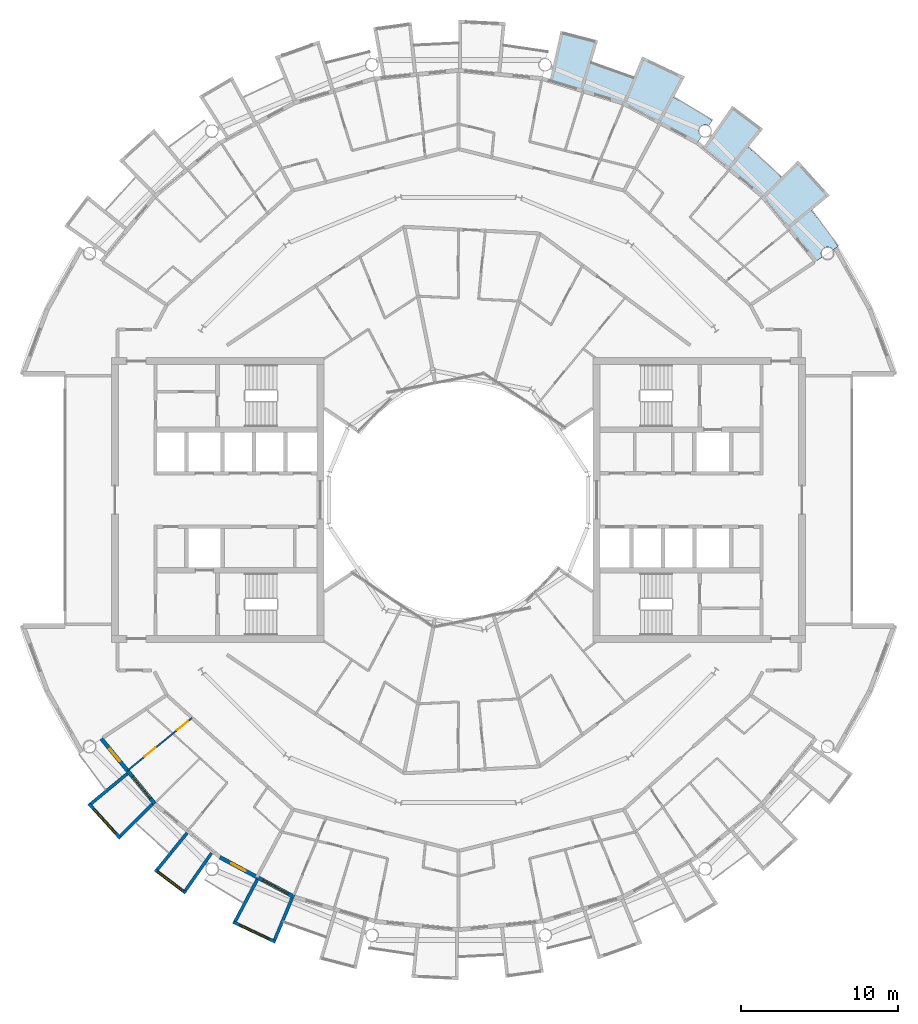
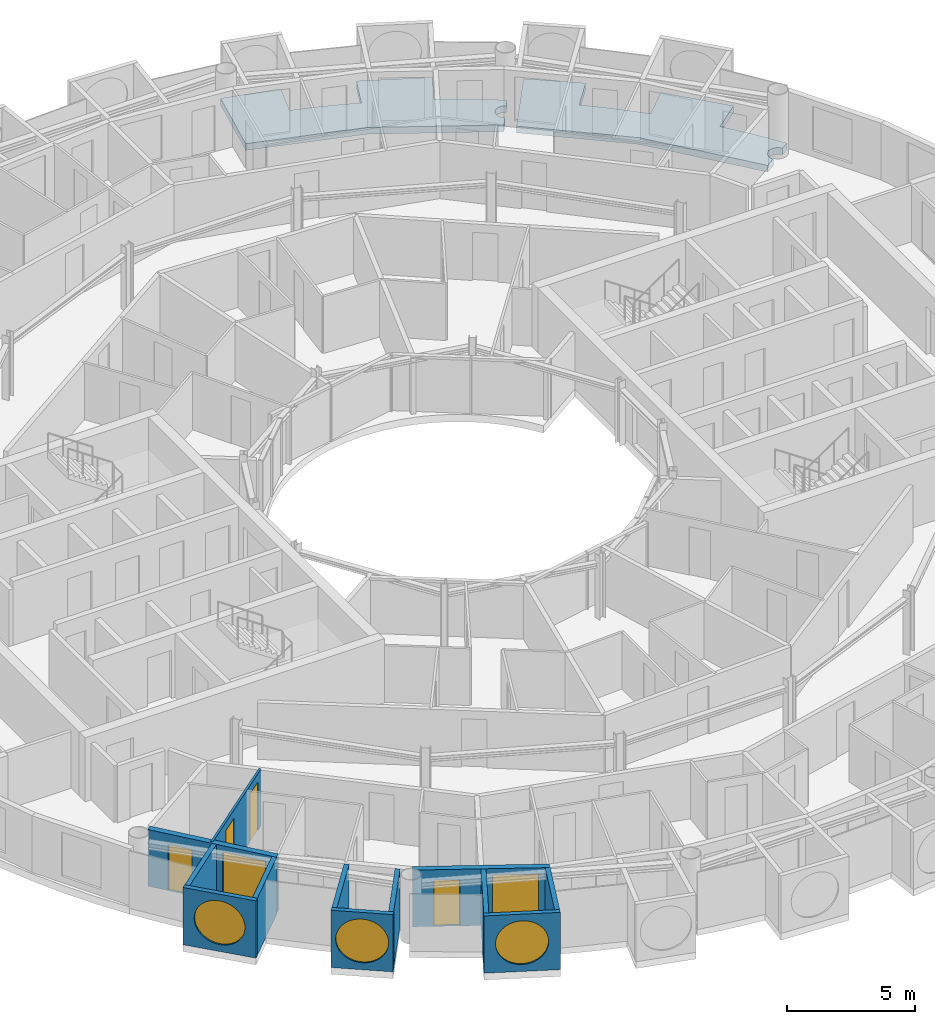
# One storey, part 14 of 29: 12 walls, 5 windows, 4 doors, 2 slabs, 9 openings.
"""IFC4 building model written with IfcOpenShell, lengths in metres."""

from ifc_helpers import new_model, si_unit, direction, frame, frame_2d, origin, place, context, subcontext, project, spatial, polyline, rectangle, circle, outline, extrude, material, layer, layer_set, type_object, element, fill, save


model = new_model("IFC4")

# Units and contexts
model_context = context("Model", 3, precision=1e-05, world=origin(), true_north=direction((0.0, 1.0)))
body_context = subcontext(model_context, "Body", "Model", "MODEL_VIEW")
ifc_project = project(units=[si_unit("LENGTHUNIT", "METRE"), si_unit("AREAUNIT", "SQUARE_METRE"), si_unit("VOLUMEUNIT", "CUBIC_METRE"), si_unit("PLANEANGLEUNIT", "RADIAN"), si_unit("MASSUNIT", "GRAM", prefix="KILO")], contexts=[model_context])

# Site, building, storey
site_placement = place(None, origin())
site = spatial("IfcSite", under=ifc_project, at=site_placement, CompositionType="ELEMENT")
building_placement = place(site_placement, origin())
building = spatial("IfcBuilding", under=site, at=building_placement, Name="Maasbend Ring Residences", CompositionType="ELEMENT")
storey_placement = place(building_placement, frame((0.0, 0.0, 193.25)))
storey = spatial("IfcBuildingStorey", under=building, at=storey_placement, Name="L55", CompositionType="ELEMENT", Elevation=193.25)

# Slabs
ifc_material_1 = material(Name="Concrete C40/50", Category="concrete")
ifc_layer_1 = layer(ifc_material_1, 0.199951171875)
ifc_layer_set_1 = layer_set([ifc_layer_1], Name="Concrete C40/50")
slab_type = type_object("IfcSlabType", Name="SL-LOGGIA", PredefinedType="FLOOR", material=ifc_layer_set_1)
slab_1_placement = place(storey_placement, frame((0.0, 0.0, -0.35009765625)))
element("IfcSlab", 1, at=slab_1_placement, inside=storey, type_object=slab_type, Name="Loggia floor 1", PredefinedType="FLOOR", context=body_context, shape_type="SweptSolid", body=[
    extrude(outline(polyline([(8.85400390625, 29.18701171875), (8.85400390625, 29.18701171875), (8.85400390625, 29.18701171875), (8.41796875, 27.751953125), (8.41796875, 27.751953125), (8.41796875, 27.751953125), (8.41796875, 27.751953125), (8.41796875, 27.751953125), (8.41796875, 27.751953125), (8.41796875, 27.7509765625), (8.41796875, 27.7509765625), (8.41796875, 27.7509765625), (8.41796875, 27.7509765625), (8.41796875, 27.7509765625), (8.4189453125, 27.7509765625), (8.4189453125, 27.7509765625), (8.4189453125, 27.7509765625), (8.4189453125, 27.7509765625), (8.4189453125, 27.7509765625), (8.4189453125, 27.7509765625), (9.322021484375, 27.4609375), (9.322021484375, 27.4609375), (10.215087890625, 27.14111328125), (10.215087890625, 27.14111328125), (11.096923828125, 26.79296875), (11.096923828125, 26.79296875), (11.096923828125, 26.79296875), (11.097900390625, 26.79296875), (11.097900390625, 26.79296875), (11.097900390625, 26.79296875), (11.097900390625, 26.79296875), (11.097900390625, 26.79296875), (11.097900390625, 26.79296875), (11.097900390625, 26.79296875), (11.097900390625, 26.79296875), (11.097900390625, 26.79296875), (11.097900390625, 26.79296875), (11.097900390625, 26.79296875), (11.097900390625, 26.79296875), (11.097900390625, 26.79296875), (11.097900390625, 26.79296875), (11.672119140625, 28.177978515625), (11.672119140625, 28.177978515625), (11.672119140625, 28.177978515625), (14.3779296875, 26.89892578125), (14.3779296875, 26.89892578125), (14.3779296875, 26.89892578125), (13.6708984375, 25.575927734375), (13.6708984375, 25.575927734375), (13.6708984375, 25.575927734375), (13.6708984375, 25.575927734375), (13.6708984375, 25.575927734375), (13.6708984375, 25.575927734375), (13.6708984375, 25.575927734375), (13.6708984375, 25.575927734375), (13.6708984375, 25.575927734375), (13.6708984375, 25.575927734375), (13.6708984375, 25.575927734375), (13.6708984375, 25.575927734375), (13.6708984375, 25.575927734375), (13.6708984375, 25.575927734375), (13.6708984375, 25.575927734375), (13.6708984375, 25.575927734375), (13.6708984375, 25.574951171875), (14.5, 25.114990234375), (14.5, 25.114990234375), (15.31396484375, 24.626953125), (15.31396484375, 24.626953125), (16.112060546875, 24.113037109375), (16.112060546875, 24.113037109375), (16.112060546875, 24.113037109375), (15.89306640625, 23.784912109375), (15.885009765625, 23.791015625), (15.8759765625, 23.7958984375), (15.866943359375, 23.801025390625), (15.85888671875, 23.805908203125), (15.85009765625, 23.81005859375), (15.841064453125, 23.81494140625), (15.83203125, 23.819091796875), (15.822998046875, 23.822998046875), (15.81298828125, 23.826904296875), (15.803955078125, 23.830078125), (15.794921875, 23.8330078125), (15.784912109375, 23.8359375), (15.77587890625, 23.839111328125), (15.76611328125, 23.842041015625), (15.756103515625, 23.843994140625), (15.74609375, 23.845947265625), (15.737060546875, 23.847900390625), (15.72705078125, 23.85009765625), (15.717041015625, 23.85107421875), (15.70703125, 23.85205078125), (15.697021484375, 23.85302734375), (15.68701171875, 23.85302734375), (15.677001953125, 23.85400390625), (15.6669921875, 23.85400390625), (15.656982421875, 23.85400390625), (15.64697265625, 23.85302734375), (15.636962890625, 23.85302734375), (15.626953125, 23.85205078125), (15.616943359375, 23.85107421875), (15.60693359375, 23.85009765625), (15.597900390625, 23.847900390625), (15.587890625, 23.845947265625), (15.577880859375, 23.843994140625), (15.568115234375, 23.842041015625), (15.55908203125, 23.839111328125), (15.549072265625, 23.8359375), (15.5400390625, 23.8330078125), (15.530029296875, 23.830078125), (15.52099609375, 23.826904296875), (15.511962890625, 23.822998046875), (15.501953125, 23.819091796875), (15.492919921875, 23.81494140625), (15.48388671875, 23.81005859375), (15.47509765625, 23.805908203125), (15.467041015625, 23.801025390625), (15.4580078125, 23.7958984375), (15.449951171875, 23.791015625), (15.44091796875, 23.784912109375), (15.43310546875, 23.780029296875), (15.425048828125, 23.77392578125), (15.4169921875, 23.76806640625), (15.408935546875, 23.761962890625), (15.402099609375, 23.7548828125), (15.39404296875, 23.7490234375), (15.386962890625, 23.741943359375), (15.3798828125, 23.735107421875), (15.373046875, 23.72802734375), (15.365966796875, 23.719970703125), (15.35888671875, 23.712890625), (15.35302734375, 23.705078125), (15.346923828125, 23.697021484375), (15.341064453125, 23.68994140625), (15.3349609375, 23.680908203125), (15.3291015625, 23.673095703125), (15.323974609375, 23.6650390625), (15.318115234375, 23.656005859375), (15.31298828125, 23.64794921875), (15.30908203125, 23.638916015625), (15.303955078125, 23.6298828125), (15.300048828125, 23.62109375), (15.294921875, 23.612060546875), (15.2919921875, 23.60302734375), (15.2880859375, 23.593994140625), (15.283935546875, 23.583984375), (15.281005859375, 23.574951171875), (15.278076171875, 23.56494140625), (15.27490234375, 23.555908203125), (15.27294921875, 23.5458984375), (15.27001953125, 23.535888671875), (15.26806640625, 23.527099609375), (15.26708984375, 23.51708984375), (15.264892578125, 23.507080078125), (15.263916015625, 23.4970703125), (15.262939453125, 23.487060546875), (15.261962890625, 23.47705078125), (15.260986328125, 23.467041015625), (15.260986328125, 23.45703125), (15.260986328125, 23.447021484375), (15.260986328125, 23.43701171875), (15.260986328125, 23.427001953125), (15.261962890625, 23.4169921875), (15.262939453125, 23.407958984375), (15.263916015625, 23.39794921875), (15.264892578125, 23.387939453125), (15.26708984375, 23.3779296875), (15.26806640625, 23.367919921875), (15.27001953125, 23.35791015625), (15.27294921875, 23.34912109375), (15.27490234375, 23.339111328125), (15.278076171875, 23.3291015625), (15.281005859375, 23.320068359375), (15.283935546875, 23.31005859375), (15.2880859375, 23.301025390625), (15.2919921875, 23.2919921875), (15.294921875, 23.282958984375), (15.300048828125, 23.27392578125), (15.303955078125, 23.264892578125), (15.30908203125, 23.256103515625), (15.31298828125, 23.2470703125), (15.318115234375, 23.238037109375), (15.323974609375, 23.22998046875), (15.3291015625, 23.221923828125), (15.3349609375, 23.212890625), (15.341064453125, 23.205078125), (15.346923828125, 23.197021484375), (15.35302734375, 23.18994140625), (15.35888671875, 23.181884765625), (15.365966796875, 23.174072265625), (15.373046875, 23.1669921875), (15.3798828125, 23.159912109375), (15.386962890625, 23.153076171875), (15.39404296875, 23.14599609375), (15.402099609375, 23.139892578125), (15.408935546875, 23.133056640625), (15.4169921875, 23.126953125), (15.425048828125, 23.12109375), (15.43310546875, 23.114990234375), (15.44091796875, 23.10888671875), (15.1669921875, 22.698974609375), (15.1669921875, 22.698974609375), (15.1669921875, 22.698974609375), (12.806884765625, 23.9609375), (10.447021484375, 25.221923828125), (10.447021484375, 25.221923828125), (10.447021484375, 25.221923828125), (7.886962890625, 25.9990234375), (5.797119140625, 26.633056640625), (5.797119140625, 26.633056640625), (5.797119140625, 26.633056640625), (6.487060546875, 29.802001953125), (6.487060546875, 29.802001953125), (6.487060546875, 29.802001953125), (8.85400390625, 29.18701171875)])), origin(), (0.0, 0.0, 1.0), 0.320068359375),
])
slab_2_placement = place(storey_placement, frame((0.0, 0.0, -0.35009765625)))
element("IfcSlab", 2, at=slab_2_placement, inside=storey, type_object=slab_type, Name="Loggia floor 4", PredefinedType="FLOOR", context=body_context, shape_type="SweptSolid", body=[
    extrude(outline(polyline([(19.34912109375, 23.576904296875), (19.34912109375, 23.576904296875), (19.34912109375, 23.576904296875), (18.39794921875, 22.41796875), (18.39794921875, 22.41796875), (18.39794921875, 22.41796875), (18.39794921875, 22.41796875), (18.39794921875, 22.41796875), (18.39794921875, 22.4169921875), (18.39794921875, 22.4169921875), (18.39794921875, 22.4169921875), (18.39794921875, 22.4169921875), (18.39794921875, 22.4169921875), (18.39794921875, 22.4169921875), (18.39794921875, 22.4169921875), (18.39794921875, 22.4169921875), (18.39794921875, 22.4169921875), (18.39794921875, 22.4169921875), (18.39794921875, 22.4169921875), (18.39794921875, 22.4169921875), (19.12109375, 21.802978515625), (19.12109375, 21.802978515625), (19.823974609375, 21.166015625), (19.823974609375, 21.166015625), (20.506103515625, 20.506103515625), (20.506103515625, 20.506103515625), (20.506103515625, 20.506103515625), (20.506103515625, 20.506103515625), (20.506103515625, 20.506103515625), (20.506103515625, 20.506103515625), (20.506103515625, 20.506103515625), (20.506103515625, 20.506103515625), (20.506103515625, 20.506103515625), (20.506103515625, 20.506103515625), (20.506103515625, 20.506103515625), (20.506103515625, 20.506103515625), (20.506103515625, 20.506103515625), (20.506103515625, 20.506103515625), (20.506103515625, 20.506103515625), (20.506103515625, 20.506103515625), (20.506103515625, 20.506103515625), (21.56689453125, 21.56689453125), (21.56689453125, 21.56689453125), (21.56689453125, 21.56689453125), (23.576904296875, 19.34912109375), (23.576904296875, 19.34912109375), (23.576904296875, 19.34912109375), (22.41796875, 18.39794921875), (22.41796875, 18.39794921875), (22.41796875, 18.39794921875), (22.41796875, 18.39794921875), (22.41796875, 18.39794921875), (22.41796875, 18.39794921875), (22.41796875, 18.39697265625), (22.41796875, 18.39697265625), (22.41796875, 18.39697265625), (22.41796875, 18.39697265625), (22.41796875, 18.39697265625), (22.41796875, 18.39697265625), (22.41796875, 18.39697265625), (22.41796875, 18.39697265625), (22.41796875, 18.39697265625), (22.41796875, 18.39697265625), (22.41796875, 18.39697265625), (23.007080078125, 17.654052734375), (23.007080078125, 17.654052734375), (23.572998046875, 16.89208984375), (23.572998046875, 16.89208984375), (24.113037109375, 16.112060546875), (24.113037109375, 16.112060546875), (24.113037109375, 16.112060546875), (23.784912109375, 15.89306640625), (23.784912109375, 15.89306640625), (23.780029296875, 15.90087890625), (23.77392578125, 15.908935546875), (23.76806640625, 15.9169921875), (23.761962890625, 15.925048828125), (23.7548828125, 15.93310546875), (23.7490234375, 15.93994140625), (23.741943359375, 15.947021484375), (23.735107421875, 15.955078125), (23.72802734375, 15.9619140625), (23.719970703125, 15.968017578125), (23.712890625, 15.97509765625), (23.705078125, 15.98095703125), (23.697021484375, 15.988037109375), (23.68994140625, 15.993896484375), (23.680908203125, 15.9990234375), (23.673095703125, 16.0048828125), (23.6650390625, 16.010986328125), (23.656005859375, 16.01611328125), (23.64794921875, 16.02099609375), (23.638916015625, 16.02587890625), (23.6298828125, 16.030029296875), (23.62109375, 16.034912109375), (23.612060546875, 16.0390625), (23.60302734375, 16.04296875), (23.593994140625, 16.0458984375), (23.583984375, 16.050048828125), (23.574951171875, 16.052978515625), (23.56494140625, 16.055908203125), (23.555908203125, 16.05908203125), (23.5458984375, 16.06103515625), (23.535888671875, 16.06396484375), (23.527099609375, 16.06591796875), (23.51708984375, 16.068115234375), (23.507080078125, 16.069091796875), (23.4970703125, 16.071044921875), (23.487060546875, 16.072021484375), (23.47705078125, 16.072021484375), (23.467041015625, 16.072998046875), (23.45703125, 16.072998046875), (23.447021484375, 16.073974609375), (23.43701171875, 16.072998046875), (23.427001953125, 16.072998046875), (23.4169921875, 16.072021484375), (23.407958984375, 16.072021484375), (23.39794921875, 16.071044921875), (23.387939453125, 16.069091796875), (23.3779296875, 16.068115234375), (23.367919921875, 16.06591796875), (23.35791015625, 16.06396484375), (23.34912109375, 16.06103515625), (23.339111328125, 16.05908203125), (23.3291015625, 16.055908203125), (23.320068359375, 16.052978515625), (23.31005859375, 16.050048828125), (23.301025390625, 16.0458984375), (23.2919921875, 16.04296875), (23.282958984375, 16.0390625), (23.27392578125, 16.034912109375), (23.264892578125, 16.030029296875), (23.256103515625, 16.02587890625), (23.2470703125, 16.02099609375), (23.238037109375, 16.01611328125), (23.22998046875, 16.010986328125), (23.221923828125, 16.0048828125), (23.212890625, 15.9990234375), (23.205078125, 15.993896484375), (23.197021484375, 15.988037109375), (23.18994140625, 15.98095703125), (23.181884765625, 15.97509765625), (23.174072265625, 15.968017578125), (23.1669921875, 15.9619140625), (23.159912109375, 15.955078125), (23.153076171875, 15.947021484375), (23.14599609375, 15.93994140625), (23.139892578125, 15.93310546875), (23.133056640625, 15.925048828125), (23.126953125, 15.9169921875), (23.12109375, 15.908935546875), (23.114990234375, 15.90087890625), (23.10888671875, 15.89306640625), (23.10400390625, 15.885009765625), (23.09912109375, 15.8759765625), (23.093994140625, 15.866943359375), (23.089111328125, 15.85888671875), (23.083984375, 15.85009765625), (23.080078125, 15.841064453125), (23.075927734375, 15.83203125), (23.072021484375, 15.822998046875), (23.068115234375, 15.81298828125), (23.06494140625, 15.803955078125), (23.06103515625, 15.794921875), (23.05810546875, 15.784912109375), (23.055908203125, 15.77587890625), (23.052978515625, 15.76611328125), (23.051025390625, 15.756103515625), (23.049072265625, 15.74609375), (23.047119140625, 15.737060546875), (23.044921875, 15.72705078125), (23.0439453125, 15.717041015625), (23.04296875, 15.70703125), (23.0419921875, 15.697021484375), (23.041015625, 15.68701171875), (23.041015625, 15.677001953125), (23.041015625, 15.6669921875), (23.041015625, 15.656982421875), (23.041015625, 15.64697265625), (23.0419921875, 15.636962890625), (23.04296875, 15.626953125), (23.0439453125, 15.616943359375), (23.044921875, 15.60693359375), (23.047119140625, 15.597900390625), (23.049072265625, 15.587890625), (23.051025390625, 15.577880859375), (23.052978515625, 15.568115234375), (23.055908203125, 15.55908203125), (23.05810546875, 15.549072265625), (23.06103515625, 15.5400390625), (23.06494140625, 15.530029296875), (23.068115234375, 15.52099609375), (23.072021484375, 15.511962890625), (23.075927734375, 15.501953125), (23.080078125, 15.492919921875), (23.083984375, 15.48388671875), (23.089111328125, 15.47509765625), (23.093994140625, 15.467041015625), (23.09912109375, 15.4580078125), (23.10400390625, 15.449951171875), (23.10888671875, 15.44091796875), (23.10888671875, 15.44091796875), (22.698974609375, 15.1669921875), (22.698974609375, 15.1669921875), (22.698974609375, 15.1669921875), (21.001953125, 17.236083984375), (19.303955078125, 19.303955078125), (19.303955078125, 19.303955078125), (19.303955078125, 19.303955078125), (17.236083984375, 21.001953125), (15.547119140625, 22.386962890625), (15.547119140625, 22.386962890625), (15.547119140625, 22.386962890625), (17.39794921875, 25.051025390625), (17.39794921875, 25.051025390625), (17.39794921875, 25.051025390625), (19.34912109375, 23.576904296875)])), origin(), (0.0, 0.0, 1.0), 0.320068359375),
])

# Wall, opening, window
ifc_material_2 = material(Name="Pale anodised aluminium panel", Category="aluminium")
ifc_layer_2 = layer(ifc_material_2, 0.199951171875)
ifc_layer_set_2 = layer_set([ifc_layer_2], Name="EW-BOX")
wall_type_1 = type_object("IfcWallType", Name="EW-BOX", PredefinedType="SOLIDWALL", material=ifc_layer_set_2)
wall_1_placement = place(storey_placement, frame((-23.5029296875, -19.281982421875, -0.030029296875), z_axis=(0.0, 0.0, 1.0), x_axis=(0.671506829416, -0.740998365753, 0.0)))
wall_1 = element("IfcWall", 3, at=wall_1_placement, inside=storey, type_object=wall_type_1, Name="Box front S02", PredefinedType="SOLIDWALL", context=body_context, shape_type="SweptSolid", body=[
    extrude(rectangle(XDim=2.9931640625, YDim=0.199951171875, at=frame_2d((1.49658203125, 0.0))), origin(), (0.0, 0.0, 1.0), 2.72998046875),
])
opening_1_placement = place(wall_1_placement, frame((0.45654296875, 0.0, 0.330078125)))
opening_1 = element("IfcOpeningElement", 4, at=opening_1_placement, cuts=wall_1, Name="Opening W-RD", PredefinedType="OPENING", context=body_context, shape_type="SweptSolid", body=[
    extrude(circle(Radius=1.0400390625, at=frame_2d((1.0400390625, 1.0400390625))), frame((0.0, 0.10986328125, 0.0), z_axis=(0.0, -1.0, 0.0), x_axis=(1.0, 0.0, 0.0)), (0.0, 0.0, 1.0), 0.219970703125),
])
ifc_material_3 = material(Name="Aluminium and clear glass", Category="aluminium")
window_type_1 = type_object("IfcWindowType", Name="W-RD", PartitioningType="SINGLE_PANEL", PredefinedType="WINDOW", material=ifc_material_3)
window_1_placement = place(opening_1_placement, origin())
window_1 = element("IfcWindow", 5, at=window_1_placement, inside=storey, type_object=window_type_1, Name="Round window S02", OverallHeight=2.080078125, OverallWidth=2.080078125, PartitioningType="SINGLE_PANEL", PredefinedType="WINDOW", context=body_context, shape_type="SweptSolid", body=[
    extrude(circle(Radius=1.0400390625, at=frame_2d((1.0400390625, 1.0400390625))), frame((0.0, 0.030029296875, 0.0), z_axis=(0.0, -1.0, 0.0), x_axis=(1.0, 0.0, 0.0)), (0.0, 0.0, 1.0), 0.06005859375),
])
fill(opening_1, window_1)

# Walls
wall_2_placement = place(storey_placement, frame((-21.041015625, -17.384033203125, -0.030029296875), z_axis=(0.0, 0.0, 1.0), x_axis=(-0.770784861449, -0.63709551667, 0.0)))
element("IfcWall", 6, at=wall_2_placement, inside=storey, type_object=wall_type_1, Name="Box side wall S02 left", PredefinedType="SOLIDWALL", context=body_context, shape_type="SweptSolid", body=[
    extrude(rectangle(XDim=3.005859375, YDim=0.199951171875, at=frame_2d((1.5029296875, 0.0))), origin(), (0.0, 0.0, 1.0), 2.72998046875),
])
wall_3_placement = place(storey_placement, frame((-19.449951171875, -19.322998046875, -0.030029296875), z_axis=(0.0, 0.0, 1.0), x_axis=(-0.709727076896, -0.704476739375, 0.0)))
element("IfcWall", 7, at=wall_3_placement, inside=storey, type_object=wall_type_1, Name="Box side wall S02 right", PredefinedType="SOLIDWALL", context=body_context, shape_type="SweptSolid", body=[
    extrude(rectangle(XDim=2.883056640625, YDim=0.199951171875, at=frame_2d((1.44140625, 0.0))), origin(), (0.0, 0.0, 1.0), 2.72998046875),
])

# Wall, opening, window
wall_4_placement = place(storey_placement, frame((-19.2890625, -23.4970703125, -0.030029296875), z_axis=(0.0, 0.0, 1.0), x_axis=(0.797887588059, -0.602806268067, 0.0)))
wall_4 = element("IfcWall", 8, at=wall_4_placement, inside=storey, type_object=wall_type_1, Name="Box front S04", PredefinedType="SOLIDWALL", context=body_context, shape_type="SweptSolid", body=[
    extrude(rectangle(XDim=2.446533203125, YDim=0.199951171875, at=frame_2d((1.22314453125, 0.0))), origin(), (0.0, 0.0, 1.0), 2.72998046875),
])
opening_2_placement = place(wall_4_placement, frame((0.182861328125, 0.0, 0.330078125)))
opening_2 = element("IfcOpeningElement", 9, at=opening_2_placement, cuts=wall_4, Name="Opening W-RD", PredefinedType="OPENING", context=body_context, shape_type="SweptSolid", body=[
    extrude(circle(Radius=1.0400390625, at=frame_2d((1.0400390625, 1.0400390625))), frame((0.0, 0.10986328125, 0.0), z_axis=(0.0, -1.0, 0.0), x_axis=(1.0, 0.0, 0.0)), (0.0, 0.0, 1.0), 0.219970703125),
])
window_2_placement = place(opening_2_placement, origin())
window_2 = element("IfcWindow", 10, at=window_2_placement, inside=storey, type_object=window_type_1, Name="Round window S04", OverallHeight=2.080078125, OverallWidth=2.080078125, PartitioningType="SINGLE_PANEL", PredefinedType="WINDOW", context=body_context, shape_type="SweptSolid", body=[
    extrude(circle(Radius=1.0400390625, at=frame_2d((1.0400390625, 1.0400390625))), frame((0.0, 0.030029296875, 0.0), z_axis=(0.0, -1.0, 0.0), x_axis=(1.0, 0.0, 0.0)), (0.0, 0.0, 1.0), 0.06005859375),
])
fill(opening_2, window_2)

# Walls
wall_5_placement = place(storey_placement, frame((-17.24609375, -21.155029296875, -0.030029296875), z_axis=(0.0, 0.0, 1.0), x_axis=(-0.631741648902, -0.775179004516, 0.0)))
element("IfcWall", 11, at=wall_5_placement, inside=storey, type_object=wall_type_1, Name="Box side wall S04 left", PredefinedType="SOLIDWALL", context=body_context, shape_type="SweptSolid", body=[
    extrude(rectangle(XDim=3.005859375, YDim=0.199951171875, at=frame_2d((1.5029296875, 0.0))), origin(), (0.0, 0.0, 1.0), 2.72998046875),
])
wall_6_placement = place(storey_placement, frame((-15.68798828125, -22.43310546875, -0.030029296875), z_axis=(0.0, 0.0, 1.0), x_axis=(-0.573260687834, -0.819373043115, 0.0)))
element("IfcWall", 12, at=wall_6_placement, inside=storey, type_object=wall_type_1, Name="Box side wall S04 right", PredefinedType="SOLIDWALL", context=body_context, shape_type="SweptSolid", body=[
    extrude(rectangle(XDim=2.92529296875, YDim=0.199951171875, at=frame_2d((1.462646484375, 0.0))), origin(), (0.0, 0.0, 1.0), 2.72998046875),
])

# Wall, opening, window
wall_7_placement = place(storey_placement, frame((-14.3349609375, -26.80810546875, -0.030029296875), z_axis=(0.0, 0.0, 1.0), x_axis=(0.904000060331, -0.427532327342, 0.0)))
wall_7 = element("IfcWall", 13, at=wall_7_placement, inside=storey, type_object=wall_type_1, Name="Box front S06", PredefinedType="SOLIDWALL", context=body_context, shape_type="SweptSolid", body=[
    extrude(rectangle(XDim=2.993408203125, YDim=0.199951171875, at=frame_2d((1.49658203125, 0.0))), origin(), (0.0, 0.0, 1.0), 2.72998046875),
])
opening_3_placement = place(wall_7_placement, frame((0.45654296875, 0.0, 0.330078125)))
opening_3 = element("IfcOpeningElement", 14, at=opening_3_placement, cuts=wall_7, Name="Opening W-RD", PredefinedType="OPENING", context=body_context, shape_type="SweptSolid", body=[
    extrude(circle(Radius=1.0400390625, at=frame_2d((1.0400390625, 1.0400390625))), frame((0.0, 0.10986328125, 0.0), z_axis=(0.0, -1.0, 0.0), x_axis=(1.0, 0.0, 0.0)), (0.0, 0.0, 1.0), 0.219970703125),
])
window_3_placement = place(opening_3_placement, origin())
window_3 = element("IfcWindow", 15, at=window_3_placement, inside=storey, type_object=window_type_1, Name="Round window S06", OverallHeight=2.080078125, OverallWidth=2.080078125, PartitioningType="SINGLE_PANEL", PredefinedType="WINDOW", context=body_context, shape_type="SweptSolid", body=[
    extrude(circle(Radius=1.0400390625, at=frame_2d((1.0400390625, 1.0400390625))), frame((0.0, 0.030029296875, 0.0), z_axis=(0.0, -1.0, 0.0), x_axis=(1.0, 0.0, 0.0)), (0.0, 0.0, 1.0), 0.06005859375),
])
fill(opening_3, window_3)

# Walls
wall_8_placement = place(storey_placement, frame((-12.787109375, -24.113037109375, -0.030029296875), z_axis=(0.0, 0.0, 1.0), x_axis=(-0.468365282436, -0.883534924159, 0.0)))
element("IfcWall", 16, at=wall_8_placement, inside=storey, type_object=wall_type_1, Name="Box side wall S06 left", PredefinedType="SOLIDWALL", context=body_context, shape_type="SweptSolid", body=[
    extrude(rectangle(XDim=3.006103515625, YDim=0.199951171875, at=frame_2d((1.5029296875, 0.0))), origin(), (0.0, 0.0, 1.0), 2.72998046875),
])
wall_9_placement = place(storey_placement, frame((-10.574951171875, -25.294921875, -0.030029296875), z_axis=(0.0, 0.0, 1.0), x_axis=(-0.385697364644, -0.922625353492, 0.0)))
element("IfcWall", 17, at=wall_9_placement, inside=storey, type_object=wall_type_1, Name="Box side wall S06 right", PredefinedType="SOLIDWALL", context=body_context, shape_type="SweptSolid", body=[
    extrude(rectangle(XDim=2.88330078125, YDim=0.199951171875, at=frame_2d((1.441650390625, 0.0))), origin(), (0.0, 0.0, 1.0), 2.72998046875),
])

# Wall, openings, door, window
ifc_material_4 = material(Name="Aluminium clad insulated panel", Category="aluminium")
ifc_layer_3 = layer(ifc_material_4, 0.25)
ifc_layer_set_3 = layer_set([ifc_layer_3], Name="EW-GL")
wall_type_2 = type_object("IfcWallType", Name="EW-GL", PredefinedType="SOLIDWALL", material=ifc_layer_set_3)
wall_10_placement = place(storey_placement, frame((-22.698974609375, -15.1669921875, 0.0), z_axis=(0.0, 0.0, 1.0), x_axis=(0.634382322723, -0.773019449054, 0.0)))
wall_10 = element("IfcWall", 18, at=wall_10_placement, inside=storey, type_object=wall_type_2, Name="External wall S01", PredefinedType="SOLIDWALL", context=body_context, shape_type="SweptSolid", body=[
    extrude(rectangle(XDim=5.351806640625, YDim=0.25, at=frame_2d((2.67578125, 0.0))), origin(), (0.0, 0.0, 1.0), 2.699951171875),
])
opening_4_placement = place(wall_10_placement, frame((0.841064453125, 0.0, 0.0)))
opening_4 = element("IfcOpeningElement", 19, at=opening_4_placement, cuts=wall_10, Name="Opening D-LG", PredefinedType="OPENING", context=body_context, shape_type="SweptSolid", body=[
    extrude(rectangle(XDim=1.0, YDim=2.199951171875, at=frame_2d((0.5, 1.10009765625))), frame((0.0, 0.135009765625, 0.0), z_axis=(0.0, -1.0, 0.0), x_axis=(1.0, 0.0, 0.0)), (0.0, 0.0, 1.0), 0.27001953125),
])
opening_5_placement = place(wall_10_placement, frame((3.110595703125, 0.0, 0.300048828125)))
opening_5 = element("IfcOpeningElement", 20, at=opening_5_placement, cuts=wall_10, Name="Opening W-BX", PredefinedType="OPENING", context=body_context, shape_type="SweptSolid", body=[
    extrude(rectangle(XDim=1.800048828125, YDim=2.10009765625, at=frame_2d((0.89990234375, 1.050048828125))), frame((0.0, 0.135009765625, 0.0), z_axis=(0.0, -1.0, 0.0), x_axis=(1.0, 0.0, 0.0)), (0.0, 0.0, 1.0), 0.27001953125),
])
ifc_material_5 = material(Name="Aluminium and clear glass", Category="aluminium")
door_type_1 = type_object("IfcDoorType", Name="D-LG", OperationType="SINGLE_SWING_LEFT", PredefinedType="DOOR", material=ifc_material_5)
door_1_placement = place(opening_4_placement, origin())
door_1 = element("IfcDoor", 21, at=door_1_placement, inside=storey, type_object=door_type_1, Name="Loggia door S01", OperationType="SINGLE_SWING_LEFT", OverallHeight=2.199951171875, OverallWidth=1.0, PredefinedType="DOOR", context=body_context, shape_type="SweptSolid", body=[
    extrude(rectangle(XDim=1.0, YDim=2.199951171875, at=frame_2d((0.5, 1.10009765625))), frame((0.0, 0.02490234375, 0.0), z_axis=(0.0, -1.0, 0.0), x_axis=(1.0, 0.0, 0.0)), (0.0, 0.0, 1.0), 0.050048828125),
])
fill(opening_4, door_1)
ifc_material_6 = material(Name="Aluminium and clear glass", Category="aluminium")
window_type_2 = type_object("IfcWindowType", Name="W-BX", PartitioningType="DOUBLE_PANEL_VERTICAL", PredefinedType="WINDOW", material=ifc_material_6)
window_4_placement = place(opening_5_placement, origin())
window_4 = element("IfcWindow", 22, at=window_4_placement, inside=storey, type_object=window_type_2, Name="Window S02 room to box", OverallHeight=2.10009765625, OverallWidth=1.800048828125, PartitioningType="SINGLE_PANEL", PredefinedType="WINDOW", context=body_context, shape_type="SweptSolid", body=[
    extrude(rectangle(XDim=1.800048828125, YDim=2.10009765625, at=frame_2d((0.89990234375, 1.050048828125))), frame((0.0, 0.030029296875, 0.0), z_axis=(0.0, -1.0, 0.0), x_axis=(1.0, 0.0, 0.0)), (0.0, 0.0, 1.0), 0.06005859375),
])
fill(opening_5, window_4)

wall_11_placement = place(storey_placement, frame((-15.1669921875, -22.698974609375, 0.0), z_axis=(0.0, 0.0, 1.0), x_axis=(0.881915646801, -0.471407246368, 0.0)))
wall_11 = element("IfcWall", 23, at=wall_11_placement, inside=storey, type_object=wall_type_2, Name="External wall S03", PredefinedType="SOLIDWALL", context=body_context, shape_type="SweptSolid", body=[
    extrude(rectangle(XDim=5.35205078125, YDim=0.25, at=frame_2d((2.676025390625, 0.0))), origin(), (0.0, 0.0, 1.0), 2.699951171875),
])
opening_6_placement = place(wall_11_placement, frame((0.841064453125, 0.0, 0.0)))
opening_6 = element("IfcOpeningElement", 24, at=opening_6_placement, cuts=wall_11, Name="Opening D-LG", PredefinedType="OPENING", context=body_context, shape_type="SweptSolid", body=[
    extrude(rectangle(XDim=1.0, YDim=2.199951171875, at=frame_2d((0.5, 1.10009765625))), frame((0.0, 0.135009765625, 0.0), z_axis=(0.0, -1.0, 0.0), x_axis=(1.0, 0.0, 0.0)), (0.0, 0.0, 1.0), 0.27001953125),
])
opening_7_placement = place(wall_11_placement, frame((3.110595703125, 0.0, 0.300048828125)))
opening_7 = element("IfcOpeningElement", 25, at=opening_7_placement, cuts=wall_11, Name="Opening W-BX", PredefinedType="OPENING", context=body_context, shape_type="SweptSolid", body=[
    extrude(rectangle(XDim=1.800048828125, YDim=2.10009765625, at=frame_2d((0.89990234375, 1.050048828125))), frame((0.0, 0.135009765625, 0.0), z_axis=(0.0, -1.0, 0.0), x_axis=(1.0, 0.0, 0.0)), (0.0, 0.0, 1.0), 0.27001953125),
])
door_2_placement = place(opening_6_placement, origin())
door_2 = element("IfcDoor", 26, at=door_2_placement, inside=storey, type_object=door_type_1, Name="Loggia door S05", OperationType="SINGLE_SWING_LEFT", OverallHeight=2.199951171875, OverallWidth=1.0, PredefinedType="DOOR", context=body_context, shape_type="SweptSolid", body=[
    extrude(rectangle(XDim=1.0, YDim=2.199951171875, at=frame_2d((0.5, 1.10009765625))), frame((0.0, 0.02490234375, 0.0), z_axis=(0.0, -1.0, 0.0), x_axis=(1.0, 0.0, 0.0)), (0.0, 0.0, 1.0), 0.050048828125),
])
fill(opening_6, door_2)
window_5_placement = place(opening_7_placement, origin())
window_5 = element("IfcWindow", 27, at=window_5_placement, inside=storey, type_object=window_type_2, Name="Window S06 room to box", OverallHeight=2.10009765625, OverallWidth=1.800048828125, PartitioningType="SINGLE_PANEL", PredefinedType="WINDOW", context=body_context, shape_type="SweptSolid", body=[
    extrude(rectangle(XDim=1.800048828125, YDim=2.10009765625, at=frame_2d((0.89990234375, 1.050048828125))), frame((0.0, 0.030029296875, 0.0), z_axis=(0.0, -1.0, 0.0), x_axis=(1.0, 0.0, 0.0)), (0.0, 0.0, 1.0), 0.06005859375),
])
fill(opening_7, window_5)

# Wall, openings, doors
ifc_material_7 = material(Name="Gypsum board on steel studs", Category="steel")
ifc_layer_4 = layer(ifc_material_7, 0.10009765625)
ifc_layer_set_4 = layer_set([ifc_layer_4], Name="PARTITION 100 GYPSUM")
wall_type_3 = type_object("IfcWallType", Name="PARTITION 100 GYPSUM", PredefinedType="PARTITIONING", material=ifc_layer_set_4)
wall_12_placement = place(storey_placement, frame((-21.0400390625, -17.198974609375, 0.0), z_axis=(0.0, 0.0, 1.0), x_axis=(0.774310172558, 0.632806255241, 0.0)))
wall_12 = element("IfcWall", 28, at=wall_12_placement, inside=storey, type_object=wall_type_3, Name="U-L55-w034", PredefinedType="PARTITIONING", context=body_context, shape_type="SweptSolid", body=[
    extrude(rectangle(XDim=5.30029296875, YDim=0.10009765625, at=frame_2d((2.650146484375, 0.0))), origin(), (0.0, 0.0, 1.0), 2.699951171875),
])
opening_8_placement = place(wall_12_placement, frame((4.06591796875, 0.0, 0.0)))
opening_8 = element("IfcOpeningElement", 29, at=opening_8_placement, cuts=wall_12, Name="Opening D-5538", PredefinedType="OPENING", context=body_context, shape_type="SweptSolid", body=[
    extrude(rectangle(XDim=0.89990234375, YDim=2.300048828125, at=frame_2d((0.449951171875, 1.14990234375))), frame((0.0, 0.06005859375, 0.0), z_axis=(0.0, -1.0, 0.0), x_axis=(1.0, 0.0, 0.0)), (0.0, 0.0, 1.0), 0.1201171875),
])
opening_9_placement = place(wall_12_placement, frame((1.416015625, 0.0, 0.0)))
opening_9 = element("IfcOpeningElement", 30, at=opening_9_placement, cuts=wall_12, Name="Opening D-5541", PredefinedType="OPENING", context=body_context, shape_type="SweptSolid", body=[
    extrude(rectangle(XDim=0.89990234375, YDim=2.300048828125, at=frame_2d((0.449951171875, 1.14990234375))), frame((0.0, 0.06005859375, 0.0), z_axis=(0.0, -1.0, 0.0), x_axis=(1.0, 0.0, 0.0)), (0.0, 0.0, 1.0), 0.1201171875),
])
ifc_material_8 = material(Name="Timber, painted", Category="wood")
door_type_2 = type_object("IfcDoorType", Name="INTERNAL DOOR 900 X 2300", OperationType="NOTDEFINED", PredefinedType="DOOR", material=ifc_material_8)
door_3_placement = place(opening_8_placement, origin())
door_3 = element("IfcDoor", 31, at=door_3_placement, inside=storey, type_object=door_type_2, Name="D-5538", OperationType="SINGLE_SWING_RIGHT", OverallHeight=2.300048828125, OverallWidth=0.89990234375, PredefinedType="DOOR", context=body_context, shape_type="SweptSolid", body=[
    extrude(rectangle(XDim=0.89990234375, YDim=2.300048828125, at=frame_2d((0.449951171875, 1.14990234375))), frame((0.0, 0.02490234375, 0.0), z_axis=(0.0, -1.0, 0.0), x_axis=(1.0, 0.0, 0.0)), (0.0, 0.0, 1.0), 0.050048828125),
])
fill(opening_8, door_3)
door_4_placement = place(opening_9_placement, origin())
door_4 = element("IfcDoor", 32, at=door_4_placement, inside=storey, type_object=door_type_2, Name="D-5541", OperationType="SINGLE_SWING_LEFT", OverallHeight=2.300048828125, OverallWidth=0.89990234375, PredefinedType="DOOR", context=body_context, shape_type="SweptSolid", body=[
    extrude(rectangle(XDim=0.89990234375, YDim=2.300048828125, at=frame_2d((0.449951171875, 1.14990234375))), frame((0.0, 0.02490234375, 0.0), z_axis=(0.0, -1.0, 0.0), x_axis=(1.0, 0.0, 0.0)), (0.0, 0.0, 1.0), 0.050048828125),
])
fill(opening_9, door_4)

save(model, "model.ifc")
